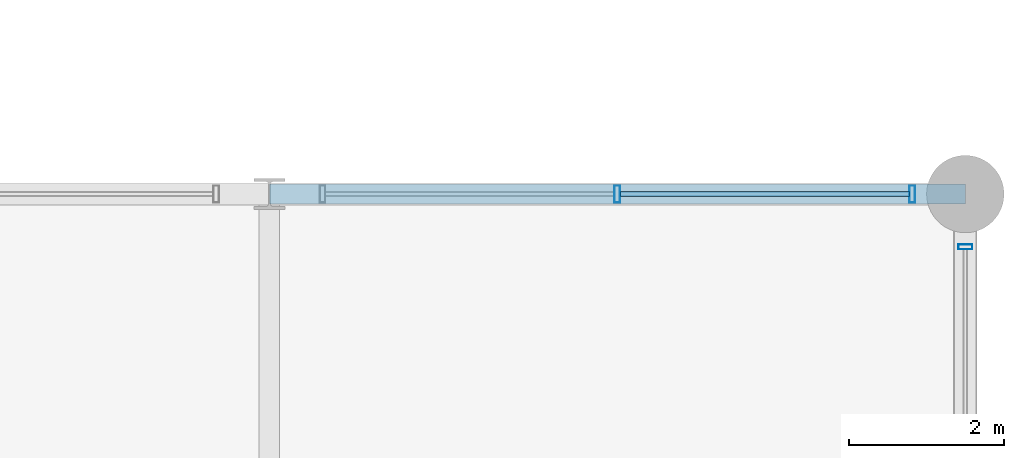
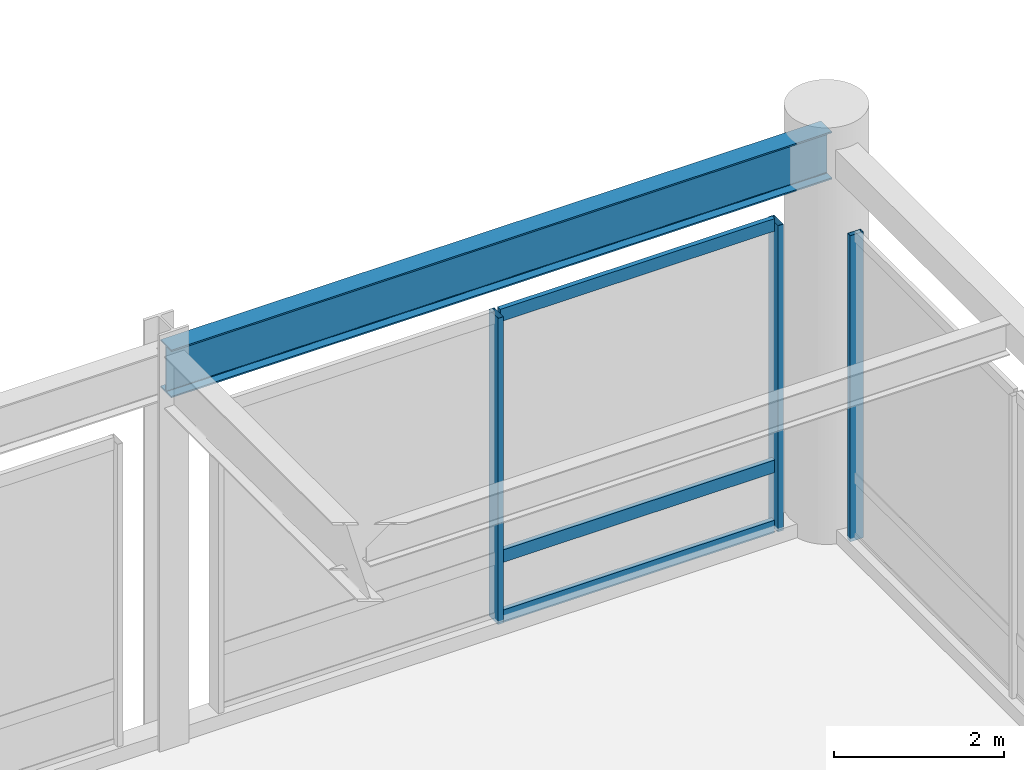
# One storey, part 52 of 105: 6 members, 1 beam, 2 elements without a shape of their own.
"""IFC4 building model written with IfcOpenShell, lengths in metres."""

from ifc_helpers import new_model, si_unit, direction, frame, origin, origin_2d, place, context, subcontext, project, spatial, hollow_rectangle, i_section, extrude, material, material_profile, profile_set, type_object, element, aggregate, save


model = new_model("IFC4")

# Units and contexts
model_context = context("Model", 3, precision=1e-05, world=origin(), true_north=direction((0.0, 1.0)))
body_context = subcontext(model_context, "Body", "Model", "MODEL_VIEW")
ifc_project = project(units=[si_unit("LENGTHUNIT", "METRE"), si_unit("AREAUNIT", "SQUARE_METRE"), si_unit("VOLUMEUNIT", "CUBIC_METRE"), si_unit("PLANEANGLEUNIT", "RADIAN"), si_unit("MASSUNIT", "GRAM", prefix="KILO")], contexts=[model_context])

# Site, building, storey
site_placement = place(None, origin())
site = spatial("IfcSite", under=ifc_project, at=site_placement, CompositionType="ELEMENT")
building_placement = place(site_placement, origin())
building = spatial("IfcBuilding", under=site, at=building_placement, Name="Kaldorvane Square Convention Centre", CompositionType="ELEMENT")
storey_placement = place(building_placement, frame((0.0, 0.0, 6.0)))
storey = spatial("IfcBuildingStorey", under=building, at=storey_placement, Name="L01", CompositionType="ELEMENT", Elevation=6.0)

# Beam
ifc_material_1 = material(Name="Steel ASTM A992 Gr. 50", Category="steel")
ifc_material_profile_1 = material_profile(ifc_material_1, i_section(OverallWidth=0.25439453125, OverallDepth=0.6880950927734375, WebThickness=0.0131072998046875, FlangeThickness=0.0211029052734375, FilletRadius=0.01519775390625, at=origin_2d()), Name="W27X102")
ifc_profile_set_1 = profile_set([ifc_material_profile_1], Name="Steel ASTM A992 Gr. 50")
beam_type = type_object("IfcBeamType", Name="BM-GR-W27X102", PredefinedType="BEAM", material=ifc_profile_set_1)
beam_placement = place(storey_placement, frame((165.0, 36.0, 5.332000732421875), z_axis=(1.0, 0.0, 0.0), x_axis=(0.0, 1.0, 0.0)))
element("IfcBeam", 1, at=beam_placement, inside=storey, type_object=beam_type, Name="Primary Girder (L01)", PredefinedType="BEAM", context=body_context, shape_type="SweptSolid", body=[
    extrude(i_section(OverallWidth=0.25439453125, OverallDepth=0.6880950927734375, WebThickness=0.0131072998046875, FlangeThickness=0.0211029052734375, FilletRadius=0.01519775390625, at=origin_2d()), origin(), (0.0, 0.0, 1.0), 9.0),
])

# Curtain wall, member
ifc_material_2 = material(Name="Anodized Aluminum and Low-E Insulated Glazing", Category="aluminium")
curtain_wall_type_1 = type_object("IfcCurtainWallType", Name="CW-UNI-P60-09", PredefinedType="USERDEFINED", material=ifc_material_2)
curtain_wall_1_placement = place(storey_placement, origin())
curtain_wall_1 = element("IfcCurtainWall", 2, at=curtain_wall_1_placement, inside=storey, type_object=curtain_wall_type_1, Name="Curtain Wall CW-02 (L01)", ObjectType="UNITISED GLAZING", PredefinedType="USERDEFINED")
ifc_material_profile_2 = material_profile(ifc_material_2, hollow_rectangle(XDim=0.06500244140625, YDim=0.17999267578125, WallThickness=0.0034942626953125, at=origin_2d()), Name="CWM-180X65")
ifc_profile_set_2 = profile_set([ifc_material_profile_2], Name="Anodized Aluminum and Low-E Insulated Glazing")
member_type_1 = type_object("IfcMemberType", Name="CW-MUL-180", PredefinedType="MULLION", material=ifc_profile_set_2)
member_1_placement = place(storey_placement, frame((174.0, 35.3175048828125, 0.149993896484375), z_axis=(0.0, 0.0, 1.0), x_axis=(0.0, 1.0, 0.0)))
member_1 = element("IfcMember", 3, at=member_1_placement, type_object=member_type_1, Name="CW-02 mullion 3", PredefinedType="MULLION", context=body_context, shape_type="SweptSolid", body=[
    extrude(hollow_rectangle(XDim=0.06500244140625, YDim=0.17999267578125, WallThickness=0.0034942626953125, at=origin_2d()), origin(), (0.0, 0.0, 1.0), 4.410003662109375),
])
aggregate(curtain_wall_1, [member_1])

# Curtain wall, members
curtain_wall_type_2 = type_object("IfcCurtainWallType", Name="CW-PTS-FC-60", PredefinedType="USERDEFINED", material=ifc_material_2)
curtain_wall_2_placement = place(storey_placement, origin())
curtain_wall_2 = element("IfcCurtainWall", 4, at=curtain_wall_2_placement, inside=storey, type_object=curtain_wall_type_2, Name="Curtain Wall CW-07 (L01)", ObjectType="POINT SUPPORTED GLAZING", PredefinedType="USERDEFINED")
ifc_material_profile_3 = material_profile(ifc_material_2, hollow_rectangle(XDim=0.0749969482421875, YDim=0.220001220703125, WallThickness=0.003997802734375, at=origin_2d()), Name="CWM-220X75")
ifc_profile_set_3 = profile_set([ifc_material_profile_3], Name="Anodized Aluminum and Low-E Insulated Glazing")
member_type_2 = type_object("IfcMemberType", Name="CW-MUL-220", PredefinedType="MULLION", material=ifc_profile_set_3)
member_2_placement = place(storey_placement, frame((173.3125, 36.0, 0.149993896484375), z_axis=(0.0, 0.0, 1.0), x_axis=(-1.0, 0.0, 0.0)))
member_2 = element("IfcMember", 5, at=member_2_placement, type_object=member_type_2, Name="CW-07 mullion 1", PredefinedType="MULLION", context=body_context, shape_type="SweptSolid", body=[
    extrude(hollow_rectangle(XDim=0.0749969482421875, YDim=0.220001220703125, WallThickness=0.003997802734375, at=origin_2d()), origin(), (0.0, 0.0, 1.0), 4.410003662109375),
])
member_3_placement = place(storey_placement, frame((169.5, 36.0, 0.149993896484375), z_axis=(0.0, 0.0, 1.0), x_axis=(-1.0, 0.0, 0.0)))
member_3 = element("IfcMember", 6, at=member_3_placement, type_object=member_type_2, Name="CW-07 mullion 2", PredefinedType="MULLION", context=body_context, shape_type="SweptSolid", body=[
    extrude(hollow_rectangle(XDim=0.0749969482421875, YDim=0.220001220703125, WallThickness=0.003997802734375, at=origin_2d()), origin(), (0.0, 0.0, 1.0), 4.410003662109375),
])
ifc_material_profile_4 = material_profile(ifc_material_2, hollow_rectangle(XDim=0.06500244140625, YDim=0.17999267578125, WallThickness=0.0034942626953125, at=origin_2d()), Name="CWT-180X65")
ifc_profile_set_4 = profile_set([ifc_material_profile_4], Name="Anodized Aluminum and Low-E Insulated Glazing")
member_type_3 = type_object("IfcMemberType", Name="CW-TRN-180", PredefinedType="USERDEFINED", material=ifc_profile_set_4)
member_4_placement = place(storey_placement, frame((173.27499389648438, 36.0, 0.1824951171875), z_axis=(-1.0, 0.0, 0.0), x_axis=(0.0, -1.0, 0.0)))
member_4 = element("IfcMember", 7, at=member_4_placement, type_object=member_type_3, Name="CW-07 transom 1.1", ObjectType="TRANSOM", PredefinedType="USERDEFINED", context=body_context, shape_type="SweptSolid", body=[
    extrude(hollow_rectangle(XDim=0.06500244140625, YDim=0.17999267578125, WallThickness=0.0034942626953125, at=origin_2d()), origin(), (0.0, 0.0, 1.0), 3.73748779296875),
])
member_5_placement = place(storey_placement, frame((173.27499389648438, 36.0, 1.0500030517578125), z_axis=(-1.0, 0.0, 0.0), x_axis=(0.0, -1.0, 0.0)))
member_5 = element("IfcMember", 8, at=member_5_placement, type_object=member_type_3, Name="CW-07 transom 1.2", ObjectType="TRANSOM", PredefinedType="USERDEFINED", context=body_context, shape_type="SweptSolid", body=[
    extrude(hollow_rectangle(XDim=0.06500244140625, YDim=0.17999267578125, WallThickness=0.0034942626953125, at=origin_2d()), origin(), (0.0, 0.0, 1.0), 3.73748779296875),
])
member_6_placement = place(storey_placement, frame((173.27499389648438, 36.0, 4.527496337890625), z_axis=(-1.0, 0.0, 0.0), x_axis=(0.0, -1.0, 0.0)))
member_6 = element("IfcMember", 9, at=member_6_placement, type_object=member_type_3, Name="CW-07 transom 1.3", ObjectType="TRANSOM", PredefinedType="USERDEFINED", context=body_context, shape_type="SweptSolid", body=[
    extrude(hollow_rectangle(XDim=0.06500244140625, YDim=0.17999267578125, WallThickness=0.0034942626953125, at=origin_2d()), origin(), (0.0, 0.0, 1.0), 3.73748779296875),
])
aggregate(curtain_wall_2, [member_2, member_3, member_4, member_5, member_6])

save(model, "model.ifc")
